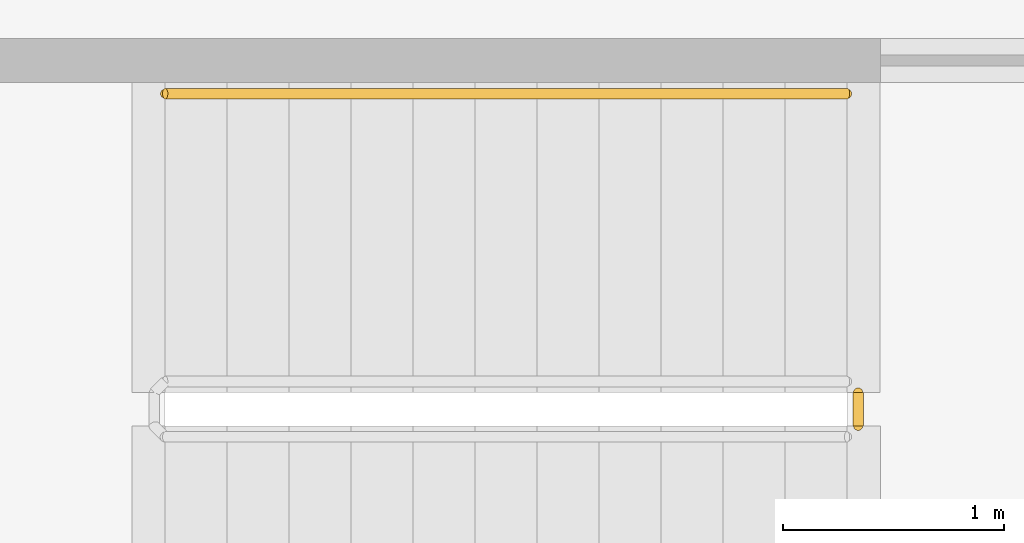
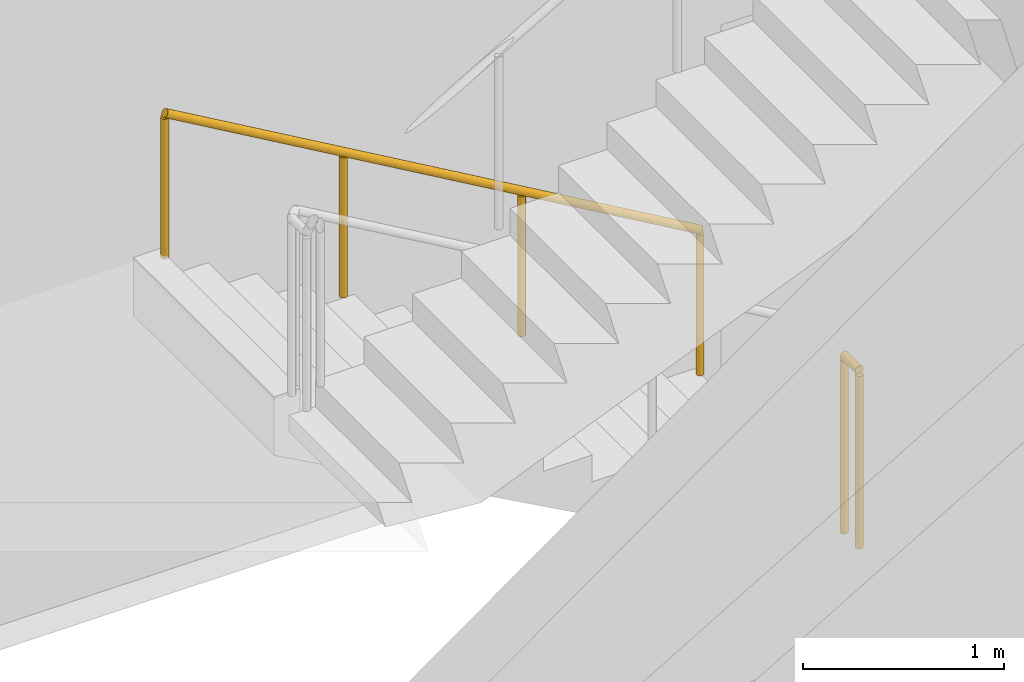
# One storey, part 18 of 21: 2 railings.
"""IFC4 building model written with IfcOpenShell, lengths in metres."""

import ifcopenshell
import ifcopenshell.guid

model = None  # the IFC model being written
_history = None  # IfcOwnerHistory: only IFC2X3 demands one
_inside = {}  # id of a spatial element -> (the spatial element, [elements in it])
_under = {}  # id of a project, library or spatial element -> (it, [spatial elements below it])
_declared = {}  # id of a project -> (the project, [libraries it declares])
_typed = {}  # id of a type object -> (the type object, [elements of that type])
_made_of = {}  # id of a material, layer set ... -> (it, [elements and type objects made of it])


def new_model(schema):
    """Start an empty IFC model of exactly this schema.

    Asked for "IFC4X3", IfcOpenShell would pick the latest addendum, in which some entities
    have other attributes; the version numbers below select the first issue.
    IFC2X3 requires an IfcOwnerHistory on every rooted entity: one is made here for all.
    """
    global model, _history
    if schema == "IFC4X3":
        model = ifcopenshell.file(schema_version=(4, 3, 0, 0))
    else:
        model = ifcopenshell.file(schema=schema)
    _inside.clear()
    _under.clear()
    _declared.clear()
    _typed.clear()
    _made_of.clear()
    _history = None
    if model.schema == "IFC2X3":
        org = make("IfcOrganization", Name="unknown")
        user = make(
            "IfcPersonAndOrganization",
            ThePerson=make("IfcPerson", FamilyName="unknown"),
            TheOrganization=org,
        )
        app = make(
            "IfcApplication",
            ApplicationDeveloper=org,
            Version="unknown",
            ApplicationFullName="unknown",
            ApplicationIdentifier="unknown",
        )
        _history = make(
            "IfcOwnerHistory",
            OwningUser=user,
            OwningApplication=app,
            ChangeAction="ADDED",
            CreationDate=0,
        )
    return model


def make(cls, **values):
    """One entity of the class cls with the attributes given. An attribute that is None is left unset."""
    return model.create_entity(
        cls, **{name: value for name, value in values.items() if value is not None}
    )


def rooted(cls, **values):
    """An entity with a GlobalId (a new one), such as an element, a storey or a relation."""
    return make(cls, GlobalId=ifcopenshell.guid.new(), OwnerHistory=_history, **values)


def si_unit(unit_type, name, prefix=None):
    """IfcSIUnit, for example si_unit("LENGTHUNIT", "METRE", prefix="MILLI")."""
    return make("IfcSIUnit", UnitType=unit_type, Prefix=prefix, Name=name)


def assignment(units):
    """IfcUnitAssignment: the units of a project."""
    return None if units is None else make("IfcUnitAssignment", Units=units)


def point(xyz):
    """IfcCartesianPoint."""
    return None if xyz is None else make("IfcCartesianPoint", Coordinates=xyz)


def direction(xyz):
    """IfcDirection."""
    return None if xyz is None else make("IfcDirection", DirectionRatios=xyz)


def frame(location, z_axis=None, x_axis=None):
    """IfcAxis2Placement3D, a coordinate frame: its origin and axes. An axis left out is left unset."""
    return make(
        "IfcAxis2Placement3D",
        Location=point(location),
        Axis=direction(z_axis),
        RefDirection=direction(x_axis),
    )


def frame_2d(location, x_axis=None):
    """IfcAxis2Placement2D, a coordinate frame in the plane: its origin and x axis."""
    return make(
        "IfcAxis2Placement2D", Location=point(location), RefDirection=direction(x_axis)
    )


def origin():
    """The frame at (0, 0, 0) with its axes left unset."""
    return frame((0.0, 0.0, 0.0))


def origin_2d():
    """The frame at (0, 0) in the plane with its x axis left unset."""
    return frame_2d((0.0, 0.0))


def place(relative_to, where):
    """IfcLocalPlacement: puts the frame where relative to a parent placement (None: the world)."""
    return make(
        "IfcLocalPlacement", PlacementRelTo=relative_to, RelativePlacement=where
    )


def context(
    kind, dimensions, precision=None, world=None, true_north=None, identifier=None
):
    """IfcGeometricRepresentationContext, for example the 3D "Model" context."""
    return make(
        "IfcGeometricRepresentationContext",
        ContextIdentifier=identifier,
        ContextType=kind,
        CoordinateSpaceDimension=dimensions,
        Precision=precision,
        WorldCoordinateSystem=world,
        TrueNorth=true_north,
    )


def subcontext(parent, identifier, kind, view, scale=None):
    """IfcGeometricRepresentationSubContext, for example "Body" below "Model"."""
    return make(
        "IfcGeometricRepresentationSubContext",
        ContextIdentifier=identifier,
        ContextType=kind,
        ParentContext=parent,
        TargetScale=scale,
        TargetView=view,
    )


def project(units=None, contexts=None):
    """IfcProject with its units and contexts."""
    return rooted(
        "IfcProject",
        Name="project",
        RepresentationContexts=contexts,
        UnitsInContext=assignment(units),
    )


def spatial(cls, under=None, at=None, **own):
    """A site, building, storey or space (cls), placed at a placement, below another one or the project."""
    s = rooted(cls, ObjectPlacement=at, **own)
    if under is not None:
        _under.setdefault(under.id(), (under, []))[1].append(s)
    return s


def profile(cls, at=None, kind="AREA", **sizes):
    """A parametric profile (cls). Its sizes go by their IFC names, for example OverallWidth=200.0."""
    return make(cls, ProfileType=kind, Position=at, **sizes)


def circle(**sizes):
    """IfcCircleProfileDef."""
    return profile("IfcCircleProfileDef", **sizes)


def extrude(swept, where, along, depth):
    """IfcExtrudedAreaSolid: the profile swept, set in the frame where, extruded along a direction by depth."""
    return make(
        "IfcExtrudedAreaSolid",
        SweptArea=swept,
        Position=where,
        ExtrudedDirection=direction(along),
        Depth=depth,
    )


def shape(context_of_items, identifier, shape_type, items):
    """IfcShapeRepresentation: the items that make up one representation, for example the "Body"."""
    return make(
        "IfcShapeRepresentation",
        ContextOfItems=context_of_items,
        RepresentationIdentifier=identifier,
        RepresentationType=shape_type,
        Items=items,
    )


def material(Name=None, Category=None):
    """IfcMaterial."""
    return make("IfcMaterial", Name=Name, Category=Category)


def made_of(thing, what):
    """Note that an element or type object is made of a material, layer set ...; save() writes the relation."""
    if what is not None:
        _made_of.setdefault(what.id(), (what, []))[1].append(thing)
    return thing


def type_object(cls, material=None, **own):
    """A type object (cls), such as IfcWallType, which elements share."""
    return made_of(rooted(cls, **own), material)


def element(
    cls,
    number,
    at=None,
    inside=None,
    cuts=None,
    type_object=None,
    material=None,
    context=None,
    identifier="Body",
    shape_type=None,
    held_by="IfcProductDefinitionShape",
    body=None,
    shapes=None,
    **own,
):
    """One element of the class cls, such as IfcWall. Its Tag is "e" and its number.

    at: its placement. inside: the storey or other place that contains it. cuts: it is an
    opening in that element (IfcRelVoidsElement). A single representation is given by context,
    identifier, shape_type and body (its items); several are given by shapes. held_by: the class
    of the entity that holds the representations. save() writes the other relations.
    """
    e = rooted(cls, Tag="e%d" % number, ObjectPlacement=at, **own)
    if body is not None:
        shapes = [shape(context, identifier, shape_type, body)]
    if shapes is not None:
        e.Representation = make(held_by, Representations=shapes)
    if inside is not None:
        _inside.setdefault(inside.id(), (inside, []))[1].append(e)
    if cuts is not None:
        rooted(
            "IfcRelVoidsElement", RelatingBuildingElement=cuts, RelatedOpeningElement=e
        )
    if type_object is not None:
        _typed.setdefault(type_object.id(), (type_object, []))[1].append(e)
    return made_of(e, material)


def aggregate(whole, parts):
    """IfcRelAggregates: a whole, such as a stair, and the parts it consists of."""
    return rooted("IfcRelAggregates", RelatingObject=whole, RelatedObjects=parts)


def save(model, path):
    """Write the relations noted so far, then the file.

    IfcRelAggregates (storeys below a building ...), IfcRelContainedInSpatialStructure (elements
    in a storey), IfcRelDefinesByType, IfcRelAssociatesMaterial and IfcRelDeclares: one each for
    every whole, place, type object, material and project.
    """
    for whole, parts in _under.values():
        aggregate(whole, parts)
    for where, things in _inside.values():
        rooted(
            "IfcRelContainedInSpatialStructure",
            RelatedElements=things,
            RelatingStructure=where,
        )
    for kind, things in _typed.values():
        rooted("IfcRelDefinesByType", RelatedObjects=things, RelatingType=kind)
    for what, things in _made_of.values():
        rooted("IfcRelAssociatesMaterial", RelatedObjects=things, RelatingMaterial=what)
    for by, libraries in _declared.values():
        rooted("IfcRelDeclares", RelatingContext=by, RelatedDefinitions=libraries)
    model.write(path)


model = new_model("IFC4")

# Units and contexts
model_context = context("Model", 3, precision=1e-05, world=origin(), true_north=direction((0.0, 1.0)))
body_context = subcontext(model_context, "Body", "Model", "MODEL_VIEW")
ifc_project = project(units=[si_unit("LENGTHUNIT", "METRE"), si_unit("AREAUNIT", "SQUARE_METRE"), si_unit("VOLUMEUNIT", "CUBIC_METRE"), si_unit("PLANEANGLEUNIT", "RADIAN"), si_unit("MASSUNIT", "GRAM", prefix="KILO")], contexts=[model_context])

# Site, building, storey
site_placement = place(None, origin())
site = spatial("IfcSite", under=ifc_project, at=site_placement, CompositionType="ELEMENT")
building_placement = place(site_placement, origin())
building = spatial("IfcBuilding", under=site, at=building_placement, Name="Kheshtan School and Residences Tower", CompositionType="ELEMENT")
storey_placement = place(building_placement, frame((0.0, 0.0, 220.10009765625)))
storey = spatial("IfcBuildingStorey", under=building, at=storey_placement, Name="L51", CompositionType="ELEMENT", Elevation=220.10009765625)

# Railings
ifc_material_1 = material(Name="Stainless steel balustrade", Category="steel")
railing_type_1 = type_object("IfcRailingType", Name="Stair guard 1100", PredefinedType="GUARDRAIL", material=ifc_material_1)
railing_1_placement = place(storey_placement, frame((78.4599609375, 24.39990234375, 0.0)))
element("IfcRailing", 1, at=railing_1_placement, inside=storey, type_object=railing_type_1, Name="L51 ST5 stair guard 2", PredefinedType="GUARDRAIL", context=body_context, shape_type="SweptSolid", body=[
    extrude(circle(Radius=0.02392578125, at=origin_2d()), frame((0.0, 0.0, 1.076171875), z_axis=(0.0, -1.0, 0.0), x_axis=(1.0, 0.0, 0.0)), (0.0, 0.0, 1.0), 0.14990234375),
    extrude(circle(Radius=0.02099609375, at=origin_2d()), origin(), (0.0, 0.0, 1.0), 1.052001953125),
    extrude(circle(Radius=0.02099609375, at=origin_2d()), frame((0.0, -0.14990234375, 0.0)), (0.0, 0.0, 1.0), 1.052001953125),
])
ifc_material_2 = material(Name="Stainless steel handrail", Category="steel")
railing_type_2 = type_object("IfcRailingType", Name="Stair handrail 900", PredefinedType="HANDRAIL", material=ifc_material_2)
railing_2_placement = place(storey_placement, frame((78.409912109375, 25.75, 0.162353515625)))
element("IfcRailing", 2, at=railing_2_placement, inside=storey, type_object=railing_type_2, Name="L51 ST5 stair handrail 1", PredefinedType="HANDRAIL", context=body_context, shape_type="SweptSolid", body=[
    extrude(circle(Radius=0.02392578125, at=origin_2d()), frame((0.0, 0.0, 0.8759765625), z_axis=(-0.864873446163, 0.0, 0.501989962173), x_axis=(0.0, -1.0, 0.0)), (0.0, 0.0, 1.0), 3.56103515625),
    extrude(circle(Radius=0.02099609375, at=origin_2d()), origin(), (0.0, 0.0, 1.0), 0.851806640625),
    extrude(circle(Radius=0.02099609375, at=origin_2d()), frame((-1.026611328125, 0.0, 0.595947265625)), (0.0, 0.0, 1.0), 0.851806640625),
    extrude(circle(Radius=0.02099609375, at=origin_2d()), frame((-2.05322265625, 0.0, 1.191650390625)), (0.0, 0.0, 1.0), 0.851806640625),
    extrude(circle(Radius=0.02099609375, at=origin_2d()), frame((-3.079833984375, 0.0, 1.78759765625)), (0.0, 0.0, 1.0), 0.851806640625),
])

save(model, "model.ifc")
